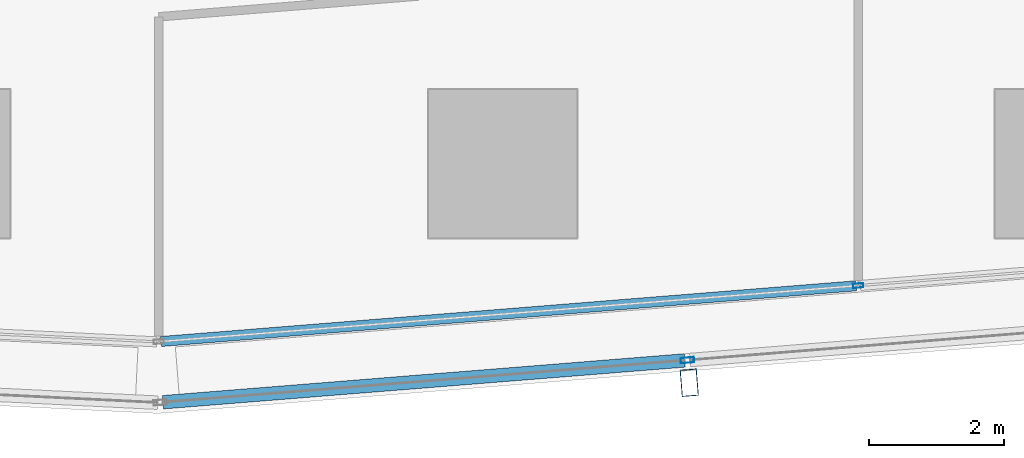
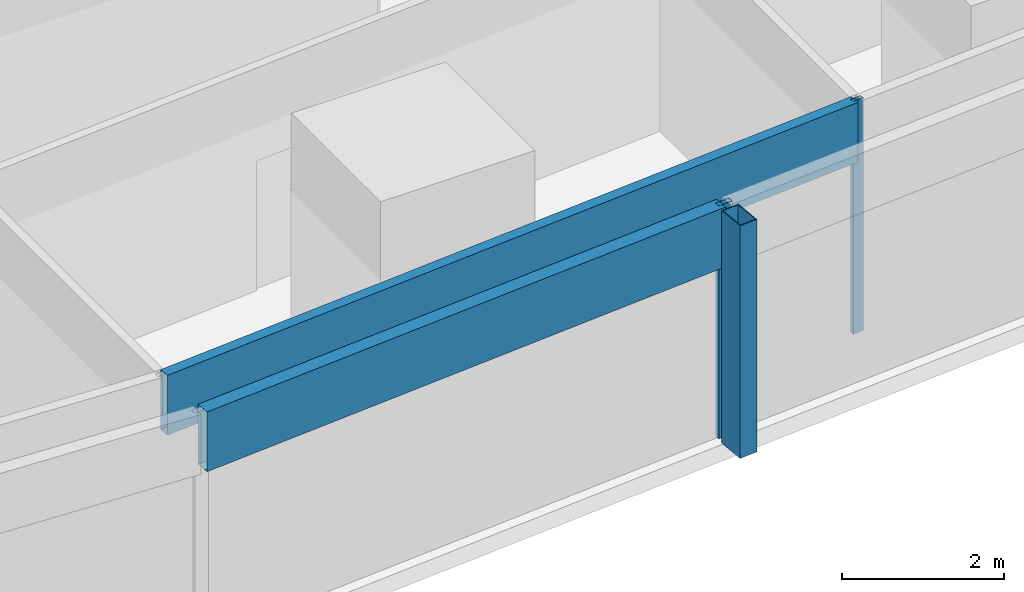
# One storey, part 10 of 44: 5 members, 2 elements without a shape of their own.
"""IFC4 building model written with IfcOpenShell, lengths in metres."""

from ifc_helpers import new_model, si_unit, direction, frame, origin, origin_2d, place, context, subcontext, project, spatial, hollow_rectangle, extrude, material, material_profile, profile_set, type_object, element, aggregate, save


model = new_model("IFC4")

# Units and contexts
model_context = context("Model", 3, precision=1e-05, world=origin(), true_north=direction((0.0, 1.0)))
body_context = subcontext(model_context, "Body", "Model", "MODEL_VIEW")
ifc_project = project(units=[si_unit("LENGTHUNIT", "METRE"), si_unit("AREAUNIT", "SQUARE_METRE"), si_unit("VOLUMEUNIT", "CUBIC_METRE"), si_unit("PLANEANGLEUNIT", "RADIAN"), si_unit("MASSUNIT", "GRAM", prefix="KILO")], contexts=[model_context])

# Site, building, storey
site_placement = place(None, origin())
site = spatial("IfcSite", under=ifc_project, at=site_placement, CompositionType="ELEMENT")
building_placement = place(site_placement, origin())
building = spatial("IfcBuilding", under=site, at=building_placement, Name="Rekha Terrace Tower", CompositionType="ELEMENT")
storey_placement = place(building_placement, frame((0.0, 0.0, 47.89990234375)))
storey = spatial("IfcBuildingStorey", under=building, at=storey_placement, Name="L11", CompositionType="ELEMENT", Elevation=47.89990234375)

# Curtain wall, member
ifc_material_1 = material(Name="Aluminium framing", Category="aluminium")
curtain_wall_type_1 = type_object("IfcCurtainWallType", Name="CW2 double skin outer glazing", PredefinedType="USERDEFINED", material=ifc_material_1)
curtain_wall_1_placement = place(storey_placement, origin())
curtain_wall_1 = element("IfcCurtainWall", 1, at=curtain_wall_1_placement, inside=storey, type_object=curtain_wall_type_1, Name="CW2 double skin outer glazing", ObjectType="DOUBLE SKIN OUTER GLAZING", PredefinedType="USERDEFINED")
ifc_material_2 = material(Name="Steel S355 with fluorocarbon finish", Category="steel")
ifc_material_profile_1 = material_profile(ifc_material_2, hollow_rectangle(XDim=0.25, YDim=0.39990234375, WallThickness=0.012451171875, at=origin_2d()), Name="RHS400x250x12.5")
ifc_profile_set_1 = profile_set([ifc_material_profile_1], Name="Steel S355 with fluorocarbon finish")
member_type_1 = type_object("IfcMemberType", Name="BL1 facade blade RHS 400 x 250", PredefinedType="USERDEFINED", material=ifc_profile_set_1)
member_1_placement = place(storey_placement, frame((53.16748046875, 5.15576171875, 0.0), z_axis=(0.0, 0.0, 1.0), x_axis=(0.996805139821, 0.079871855039, 0.0)))
member_1 = element("IfcMember", 2, at=member_1_placement, type_object=member_type_1, Name="Facade blade", ObjectType="FACADE BLADE", PredefinedType="USERDEFINED", context=body_context, shape_type="SweptSolid", body=[
    extrude(hollow_rectangle(XDim=0.25, YDim=0.39990234375, WallThickness=0.012451171875, at=origin_2d()), origin(), (0.0, 0.0, 1.0), 3.5),
])

# Curtain wall, members
curtain_wall_type_2 = type_object("IfcCurtainWallType", Name="CW1 double skin inner glazing", PredefinedType="USERDEFINED", material=ifc_material_1)
curtain_wall_2_placement = place(storey_placement, origin())
curtain_wall_2 = element("IfcCurtainWall", 3, at=curtain_wall_2_placement, inside=storey, type_object=curtain_wall_type_2, Name="CW1 double skin inner glazing", ObjectType="DOUBLE SKIN INNER GLAZING", PredefinedType="USERDEFINED")
ifc_material_3 = material(Name="Aluminium mullion section", Category="aluminium")
ifc_material_profile_2 = material_profile(ifc_material_3, hollow_rectangle(XDim=0.06494140625, YDim=0.14990234375, WallThickness=0.00390625, at=origin_2d()), Name="AL RHS 65x150")
ifc_profile_set_2 = profile_set([ifc_material_profile_2], Name="Aluminium mullion section")
member_type_2 = type_object("IfcMemberType", Name="CW1 mullion RHS 65 x 150", PredefinedType="MULLION", material=ifc_profile_set_2)
member_2_placement = place(storey_placement, frame((55.672119140625, 6.595458984375, 0.0), z_axis=(0.0, 0.0, 1.0), x_axis=(-0.079872204468, 0.996805111821, 0.0)))
member_2 = element("IfcMember", 4, at=member_2_placement, type_object=member_type_2, Name="CW1 mullion 2", PredefinedType="MULLION", context=body_context, shape_type="SweptSolid", body=[
    extrude(hollow_rectangle(XDim=0.06494140625, YDim=0.14990234375, WallThickness=0.00390625, at=origin_2d()), origin(), (0.0, 0.0, 1.0), 3.5),
])
ifc_material_4 = material(Name="Insulated aluminium spandrel box", Category="aluminium")
ifc_material_profile_3 = material_profile(ifc_material_4, hollow_rectangle(XDim=0.14990234375, YDim=0.89990234375, WallThickness=0.0029296875, at=origin_2d()), Name="AL SPANDREL BOX 150x900")
ifc_profile_set_3 = profile_set([ifc_material_profile_3], Name="Insulated aluminium spandrel box")
member_type_3 = type_object("IfcMemberType", Name="CW1 spandrel transom 150 x 900", PredefinedType="USERDEFINED", material=ifc_profile_set_3)
member_3_placement = place(storey_placement, frame((45.33642578125, 5.767333984375, 3.050048828125), z_axis=(0.996806184606, 0.079858814989, 0.0), x_axis=(-0.079858814989, 0.996806184606, 0.0)))
member_3 = element("IfcMember", 5, at=member_3_placement, type_object=member_type_3, Name="CW1 spandrel transom 1", ObjectType="TRANSOM", PredefinedType="USERDEFINED", context=body_context, shape_type="SweptSolid", body=[
    extrude(hollow_rectangle(XDim=0.14990234375, YDim=0.89990234375, WallThickness=0.0029296875, at=origin_2d()), origin(), (0.0, 0.0, 1.0), 10.336181640625),
])
aggregate(curtain_wall_2, [member_2, member_3])

# Member
ifc_material_profile_4 = material_profile(ifc_material_3, hollow_rectangle(XDim=0.080078125, YDim=0.199951171875, WallThickness=0.00390625, at=origin_2d()), Name="AL RHS 80x200")
ifc_profile_set_4 = profile_set([ifc_material_profile_4], Name="Aluminium mullion section")
member_type_4 = type_object("IfcMemberType", Name="CW2 mullion RHS 80 x 200", PredefinedType="MULLION", material=ifc_profile_set_4)
member_4_placement = place(storey_placement, frame((53.140869140625, 5.48974609375, 0.0), z_axis=(0.0, 0.0, 1.0), x_axis=(-0.079872204468, 0.996805111821, 0.0)))
member_4 = element("IfcMember", 6, at=member_4_placement, type_object=member_type_4, Name="CW2 mullion 2", PredefinedType="MULLION", context=body_context, shape_type="SweptSolid", body=[
    extrude(hollow_rectangle(XDim=0.080078125, YDim=0.199951171875, WallThickness=0.00390625, at=origin_2d()), origin(), (0.0, 0.0, 1.0), 3.5),
])

ifc_material_profile_5 = material_profile(ifc_material_4, hollow_rectangle(XDim=0.199951171875, YDim=0.89990234375, WallThickness=0.0029296875, at=origin_2d()), Name="AL SPANDREL BOX 200x900")
ifc_profile_set_5 = profile_set([ifc_material_profile_5], Name="Insulated aluminium spandrel box")
member_type_5 = type_object("IfcMemberType", Name="CW2 spandrel transom 200 x 900", PredefinedType="USERDEFINED", material=ifc_profile_set_5)
member_5_placement = place(storey_placement, frame((45.365234375, 4.86669921875, 3.050048828125), z_axis=(0.996804766607, 0.079876512622, 0.0), x_axis=(-0.079876512622, 0.996804766607, 0.0)))
member_5 = element("IfcMember", 7, at=member_5_placement, type_object=member_type_5, Name="CW2 spandrel transom 1", ObjectType="TRANSOM", PredefinedType="USERDEFINED", context=body_context, shape_type="SweptSolid", body=[
    extrude(hollow_rectangle(XDim=0.199951171875, YDim=0.89990234375, WallThickness=0.0029296875, at=origin_2d()), origin(), (0.0, 0.0, 1.0), 7.760498046875),
])

aggregate(curtain_wall_1, [member_4, member_5, member_1])

save(model, "model.ifc")
